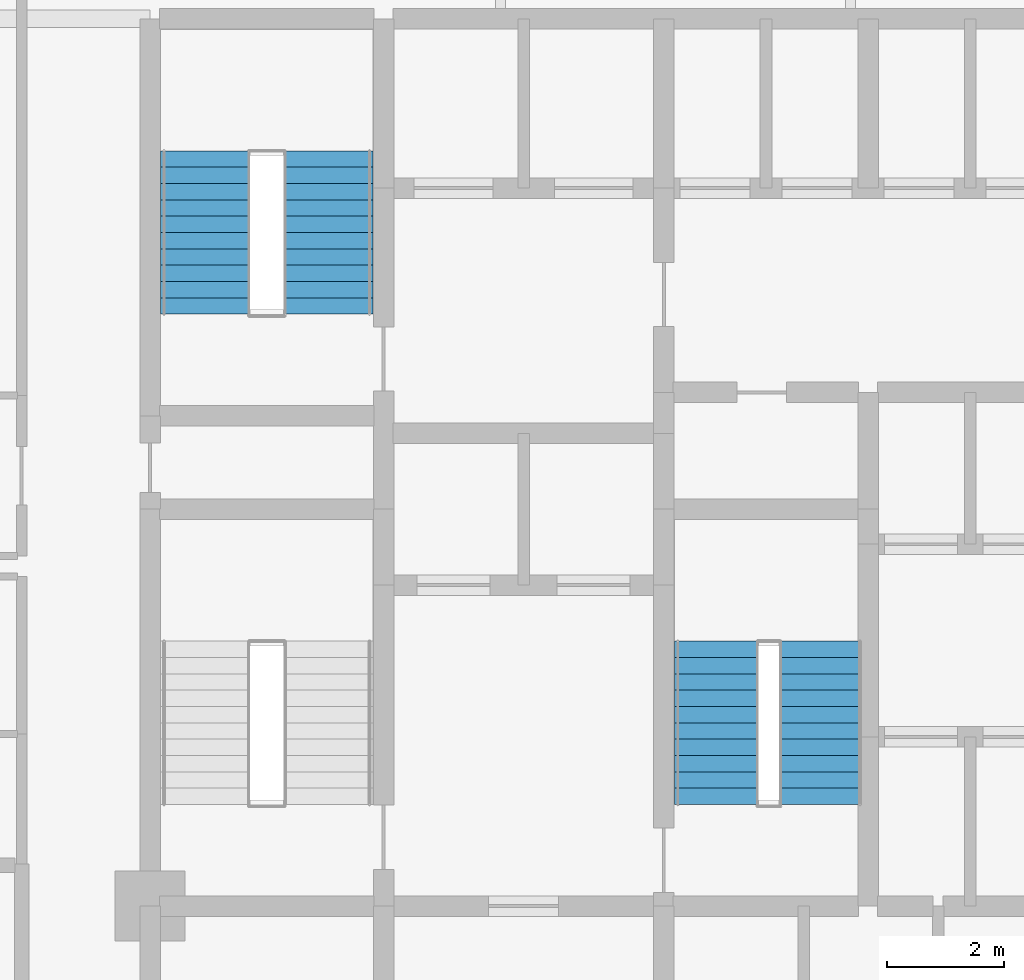
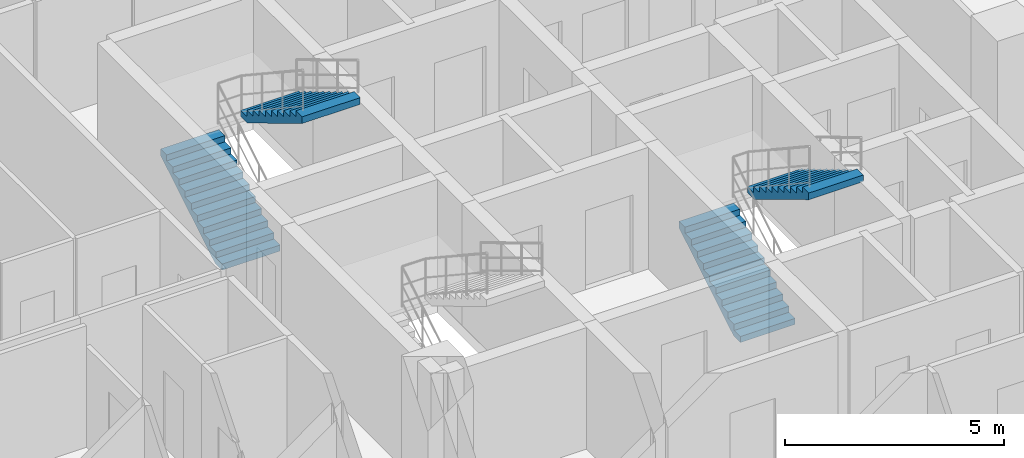
# One storey, part 32 of 33: 4 stair flights, 2 elements without a shape of their own.
"""IFC4 building model written with IfcOpenShell, lengths in metres."""

from ifc_helpers import new_model, si_unit, direction, frame, origin, place, context, subcontext, project, spatial, polyline, outline, extrude, material, type_object, element, aggregate, save


model = new_model("IFC4")

# Units and contexts
model_context = context("Model", 3, precision=1e-05, world=origin(), true_north=direction((0.0, 1.0)))
body_context = subcontext(model_context, "Body", "Model", "MODEL_VIEW")
ifc_project = project(units=[si_unit("LENGTHUNIT", "METRE"), si_unit("AREAUNIT", "SQUARE_METRE"), si_unit("VOLUMEUNIT", "CUBIC_METRE"), si_unit("PLANEANGLEUNIT", "RADIAN"), si_unit("MASSUNIT", "GRAM", prefix="KILO")], contexts=[model_context])

# Site, building, storey
site_placement = place(None, origin())
site = spatial("IfcSite", under=ifc_project, at=site_placement, CompositionType="ELEMENT")
building_placement = place(site_placement, origin())
building = spatial("IfcBuilding", under=site, at=building_placement, Name="Keshet Zoharim Tower", CompositionType="ELEMENT")
storey_placement = place(building_placement, frame((0.0, 0.0, 73.800048828125)))
storey = spatial("IfcBuildingStorey", under=building, at=storey_placement, Name="L17", CompositionType="ELEMENT", Elevation=73.800048828125)

# Stair, stair flights
ifc_material = material(Name="Concrete C50/60", Category="concrete")
stair_type = type_object("IfcStairType", Name="STR-EXIT-135", PredefinedType="HALF_TURN_STAIR", material=ifc_material)
stair_1_placement = place(storey_placement, origin())
stair_1 = element("IfcStair", 1, at=stair_1_placement, inside=storey, type_object=stair_type, Name="L17 Enclosed Exit Stair ST-02", PredefinedType="HALF_TURN_STAIR")
stair_flight_type_1 = type_object("IfcStairFlightType", Name="FLT-PRE-135", PredefinedType="STRAIGHT", material=ifc_material)
stair_flight_1_placement = place(storey_placement, frame((15.945068359375, 32.840087890625, 0.0), z_axis=(0.0, 0.0, 1.0), x_axis=(0.0, 1.0, 0.0)))
stair_flight_1 = element("IfcStairFlight", 2, at=stair_flight_1_placement, type_object=stair_flight_type_1, Name="ST-02 flight 1", NumberOfRisers=11, NumberOfTreads=10, PredefinedType="STRAIGHT", RiserHeight=0.168182, TreadLength=0.28, context=body_context, shape_type="SweptSolid", body=[
    extrude(outline(polyline([(0.0, 0.0), (0.0, 0.168212890625), (0.280029296875, 0.168212890625), (0.280029296875, 0.33642578125), (0.56005859375, 0.33642578125), (0.56005859375, 0.504638671875), (0.840087890625, 0.504638671875), (0.840087890625, 0.672607421875), (1.1201171875, 0.672607421875), (1.1201171875, 0.8408203125), (1.39990234375, 0.8408203125), (1.39990234375, 1.009033203125), (1.679931640625, 1.009033203125), (1.679931640625, 1.17724609375), (1.9599609375, 1.17724609375), (1.9599609375, 1.345458984375), (2.239990234375, 1.345458984375), (2.239990234375, 1.513671875), (2.52001953125, 1.513671875), (2.52001953125, 1.681884765625), (2.800048828125, 1.681884765625), (2.800048828125, 1.85009765625), (2.800048828125, 1.495361328125), (0.310546875, 0.0), (0.0, 0.0)])), frame((0.0, 0.76513671875, 0.0), z_axis=(0.0, -1.0, 0.0), x_axis=(1.0, 0.0, 0.0)), (0.0, 0.0, 1.0), 1.530029296875),
])
stair_flight_2_placement = place(storey_placement, frame((18.054931640625, 35.639892578125, 1.849853515625), z_axis=(0.0, 0.0, 1.0), x_axis=(0.0, -1.0, 0.0)))
stair_flight_2 = element("IfcStairFlight", 3, at=stair_flight_2_placement, type_object=stair_flight_type_1, Name="ST-02 flight 2", NumberOfRisers=11, NumberOfTreads=10, PredefinedType="STRAIGHT", RiserHeight=0.168182, TreadLength=0.28, context=body_context, shape_type="SweptSolid", body=[
    extrude(outline(polyline([(0.0, 0.0), (0.0, 0.168212890625), (0.280029296875, 0.168212890625), (0.280029296875, 0.33642578125), (0.56005859375, 0.33642578125), (0.56005859375, 0.504638671875), (0.840087890625, 0.504638671875), (0.840087890625, 0.672607421875), (1.1201171875, 0.672607421875), (1.1201171875, 0.8408203125), (1.39990234375, 0.8408203125), (1.39990234375, 1.009033203125), (1.679931640625, 1.009033203125), (1.679931640625, 1.17724609375), (1.9599609375, 1.17724609375), (1.9599609375, 1.345458984375), (2.239990234375, 1.345458984375), (2.239990234375, 1.513671875), (2.52001953125, 1.513671875), (2.52001953125, 1.681884765625), (2.800048828125, 1.681884765625), (2.800048828125, 1.85009765625), (2.800048828125, 1.495361328125), (0.310546875, 0.0), (0.0, 0.0)])), frame((0.0, 0.76513671875, 0.0), z_axis=(0.0, -1.0, 0.0), x_axis=(1.0, 0.0, 0.0)), (0.0, 0.0, 1.0), 1.530029296875),
])
aggregate(stair_1, [stair_flight_1, stair_flight_2])

stair_2_placement = place(storey_placement, origin())
stair_2 = element("IfcStair", 4, at=stair_2_placement, inside=storey, type_object=stair_type, Name="L17 Enclosed Exit Stair ST-03", PredefinedType="HALF_TURN_STAIR")
stair_flight_type_2 = type_object("IfcStairFlightType", Name="FLT-PRE-144", PredefinedType="STRAIGHT", material=ifc_material)
stair_flight_3_placement = place(storey_placement, frame((24.699951171875, 24.43994140625, 0.0), z_axis=(0.0, 0.0, 1.0), x_axis=(0.0, 1.0, 0.0)))
stair_flight_3 = element("IfcStairFlight", 5, at=stair_flight_3_placement, type_object=stair_flight_type_2, Name="ST-03 flight 1", NumberOfRisers=11, NumberOfTreads=10, PredefinedType="STRAIGHT", RiserHeight=0.168182, TreadLength=0.28, context=body_context, shape_type="SweptSolid", body=[
    extrude(outline(polyline([(0.0, 0.0), (0.0, 0.168212890625), (0.280029296875, 0.168212890625), (0.280029296875, 0.33642578125), (0.56005859375, 0.33642578125), (0.56005859375, 0.504638671875), (0.840087890625, 0.504638671875), (0.840087890625, 0.672607421875), (1.1201171875, 0.672607421875), (1.1201171875, 0.8408203125), (1.39990234375, 0.8408203125), (1.39990234375, 1.009033203125), (1.679931640625, 1.009033203125), (1.679931640625, 1.17724609375), (1.9599609375, 1.17724609375), (1.9599609375, 1.345458984375), (2.239990234375, 1.345458984375), (2.239990234375, 1.513671875), (2.52001953125, 1.513671875), (2.52001953125, 1.681884765625), (2.800048828125, 1.681884765625), (2.800048828125, 1.85009765625), (2.800048828125, 1.495361328125), (0.310546875, 0.0), (0.0, 0.0)])), frame((0.0, 0.719970703125, 0.0), z_axis=(0.0, -1.0, 0.0), x_axis=(1.0, 0.0, 0.0)), (0.0, 0.0, 1.0), 1.43994140625),
])
stair_flight_4_placement = place(storey_placement, frame((26.5, 27.239990234375, 1.849853515625), z_axis=(0.0, 0.0, 1.0), x_axis=(0.0, -1.0, 0.0)))
stair_flight_4 = element("IfcStairFlight", 6, at=stair_flight_4_placement, type_object=stair_flight_type_2, Name="ST-03 flight 2", NumberOfRisers=11, NumberOfTreads=10, PredefinedType="STRAIGHT", RiserHeight=0.168182, TreadLength=0.28, context=body_context, shape_type="SweptSolid", body=[
    extrude(outline(polyline([(0.0, 0.0), (0.0, 0.168212890625), (0.280029296875, 0.168212890625), (0.280029296875, 0.33642578125), (0.56005859375, 0.33642578125), (0.56005859375, 0.504638671875), (0.840087890625, 0.504638671875), (0.840087890625, 0.672607421875), (1.1201171875, 0.672607421875), (1.1201171875, 0.8408203125), (1.39990234375, 0.8408203125), (1.39990234375, 1.009033203125), (1.679931640625, 1.009033203125), (1.679931640625, 1.17724609375), (1.9599609375, 1.17724609375), (1.9599609375, 1.345458984375), (2.239990234375, 1.345458984375), (2.239990234375, 1.513671875), (2.52001953125, 1.513671875), (2.52001953125, 1.681884765625), (2.800048828125, 1.681884765625), (2.800048828125, 1.85009765625), (2.800048828125, 1.495361328125), (0.310546875, 0.0), (0.0, 0.0)])), frame((0.0, 0.719970703125, 0.0), z_axis=(0.0, -1.0, 0.0), x_axis=(1.0, 0.0, 0.0)), (0.0, 0.0, 1.0), 1.43994140625),
])
aggregate(stair_2, [stair_flight_3, stair_flight_4])

save(model, "model.ifc")
